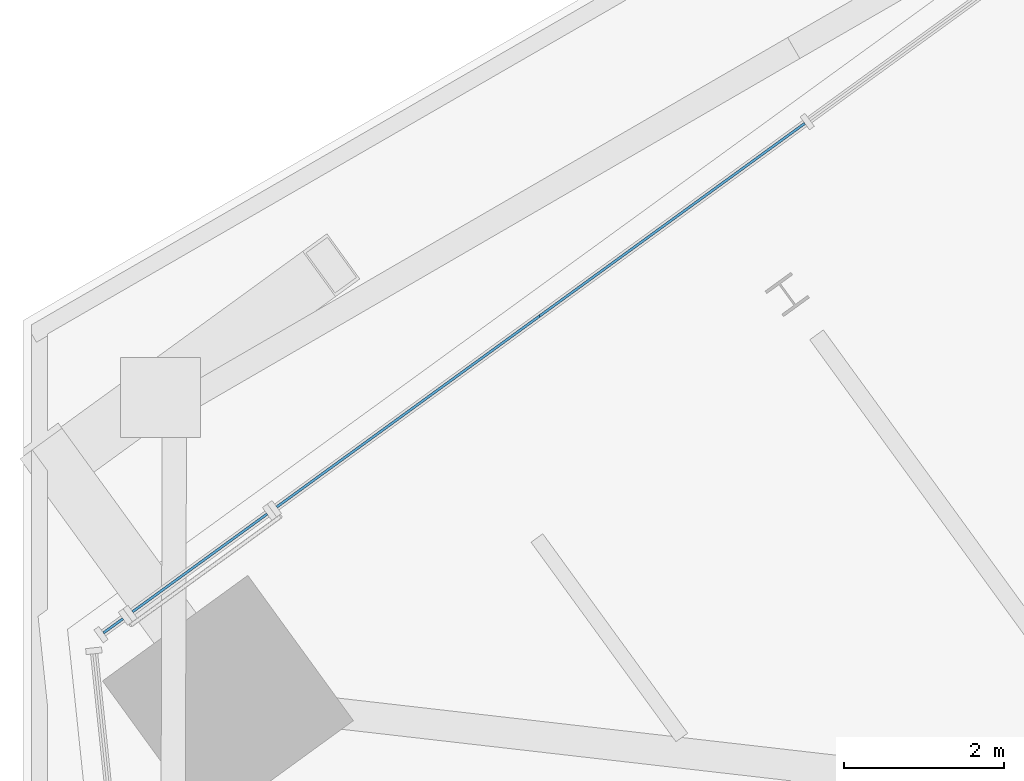
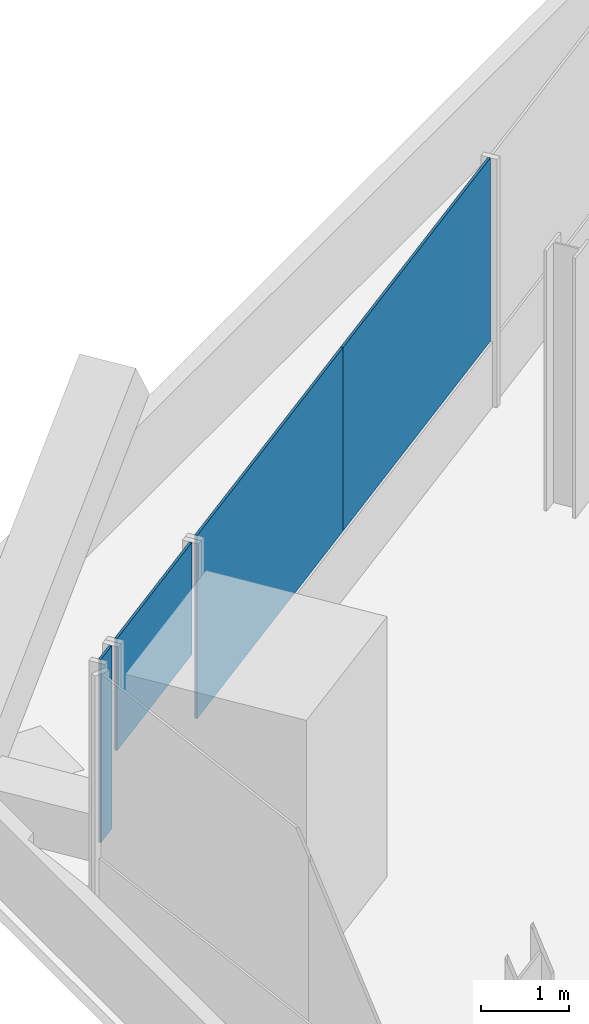
# One storey, part 12 of 24: 4 plates, 3 elements without a shape of their own.
"""IFC4 building model written with IfcOpenShell, lengths in metres."""

from ifc_helpers import new_model, si_unit, direction, frame, origin, origin_2d, place, context, subcontext, project, spatial, rectangle, extrude, source, transform, mapped, material, layer, layer_set, type_object, element, aggregate, save


model = new_model("IFC4")

# Units and contexts
model_context = context("Model", 3, precision=1e-05, world=origin(), true_north=direction((0.0, 1.0)))
body_context = subcontext(model_context, "Body", "Model", "MODEL_VIEW")
ifc_project = project(units=[si_unit("LENGTHUNIT", "METRE"), si_unit("AREAUNIT", "SQUARE_METRE"), si_unit("VOLUMEUNIT", "CUBIC_METRE"), si_unit("PLANEANGLEUNIT", "RADIAN"), si_unit("MASSUNIT", "GRAM", prefix="KILO")], contexts=[model_context])

# Site, building, storey
site_placement = place(None, origin())
site = spatial("IfcSite", under=ifc_project, at=site_placement, CompositionType="ELEMENT")
building_placement = place(site_placement, origin())
building = spatial("IfcBuilding", under=site, at=building_placement, Name="Triune Harvest Tower", CompositionType="ELEMENT")
storey_placement = place(building_placement, frame((0.0, 0.0, 58.5)))
storey = spatial("IfcBuildingStorey", under=building, at=storey_placement, Name="L13", CompositionType="ELEMENT", Elevation=58.5)

# Curtain wall, plate
ifc_material_1 = material(Name="Aluminium bronze anodised", Category="aluminium")
curtain_wall_type = type_object("IfcCurtainWallType", Name="CW-1 Tower stick curtain wall", PredefinedType="NOTDEFINED", material=ifc_material_1)
curtain_wall_1_placement = place(storey_placement, origin())
curtain_wall_1 = element("IfcCurtainWall", 1, at=curtain_wall_1_placement, inside=storey, type_object=curtain_wall_type, Name="CW-1 B2-F3 L13 run 1101")
ifc_material_2 = material(Name="Glass", Category="glass")
ifc_layer = layer(ifc_material_2, 0.031982421875)
ifc_layer_set = layer_set([ifc_layer], Name="Glass")
plate_type = type_object("IfcPlateType", Name="GL-1 panel 32", PredefinedType="CURTAIN_PANEL", material=ifc_layer_set)
shared_shape_1 = source(origin(), body_context, "Body", "SweptSolid", [
    extrude(rectangle(XDim=4.070068359375, YDim=0.031982421875, at=origin_2d()), origin(), (0.0, 0.0, 1.0), 2.5400390625),
])
plate_1_placement = place(storey_placement, frame((-31.1630859375, 5.414794921875, 0.89990234375), z_axis=(0.0, 0.0, 1.0), x_axis=(-0.809017018863, -0.587785218588, 0.0)))
plate_1 = element("IfcPlate", 2, at=plate_1_placement, type_object=plate_type, Name="CW-1 panel B2-F3 1101.8", PredefinedType="CURTAIN_PANEL", context=body_context, shape_type="MappedRepresentation", body=[
    mapped(shared_shape_1, transform((0.0, 0.0, 0.0), scale=1.0)),
])

curtain_wall_2_placement = place(storey_placement, origin())
curtain_wall_2 = element("IfcCurtainWall", 3, at=curtain_wall_2_placement, inside=storey, type_object=curtain_wall_type, Name="CW-1 B2-F3 L13 run 201")
shared_shape_2 = source(origin(), body_context, "Body", "SweptSolid", [
    extrude(rectangle(XDim=2.0830078125, YDim=0.031982421875, at=origin_2d()), origin(), (0.0, 0.0, 1.0), 1.554931640625),
])
plate_2_placement = place(storey_placement, frame((-33.7734375, 3.518310546875, 1.88525390625), z_axis=(0.0, 0.0, 1.0), x_axis=(-0.809016797775, -0.587785522888, 0.0)))
plate_2 = element("IfcPlate", 4, at=plate_2_placement, type_object=plate_type, Name="CW-1 panel B2-F3 201.1", PredefinedType="CURTAIN_PANEL", context=body_context, shape_type="MappedRepresentation", body=[
    mapped(shared_shape_2, transform((0.0, 0.0, 0.0), scale=1.0)),
])
aggregate(curtain_wall_2, [plate_2])

curtain_wall_3_placement = place(storey_placement, origin())
curtain_wall_3 = element("IfcCurtainWall", 5, at=curtain_wall_3_placement, inside=storey, type_object=curtain_wall_type, Name="CW-1 B2-F3 L13 run 301")
shared_shape_3 = source(origin(), body_context, "Body", "SweptSolid", [
    extrude(rectangle(XDim=0.3017578125, YDim=0.031982421875, at=origin_2d()), origin(), (0.0, 0.0, 1.0), 2.5400390625),
])
plate_3_placement = place(storey_placement, frame((-34.859375, 2.729248046875, 0.89990234375), z_axis=(0.0, 0.0, 1.0), x_axis=(-0.808994505309, -0.587816204591, 0.0)))
plate_3 = element("IfcPlate", 6, at=plate_3_placement, type_object=plate_type, Name="CW-1 panel B2-F3 301.1", PredefinedType="CURTAIN_PANEL", context=body_context, shape_type="MappedRepresentation", body=[
    mapped(shared_shape_3, transform((0.0, 0.0, 0.0), scale=1.0)),
])
aggregate(curtain_wall_3, [plate_3])

# Plate
shared_shape_4 = source(origin(), body_context, "Body", "SweptSolid", [
    extrude(rectangle(XDim=4.107421875, YDim=0.031982421875, at=origin_2d()), origin(), (0.0, 0.0, 1.0), 2.5400390625),
])
plate_4_placement = place(storey_placement, frame((-27.855224609375, 7.818115234375, 0.89990234375), z_axis=(0.0, 0.0, 1.0), x_axis=(-0.809017018863, -0.587785218588, 0.0)))
plate_4 = element("IfcPlate", 7, at=plate_4_placement, type_object=plate_type, Name="CW-1 panel B2-F3 1101.7", PredefinedType="CURTAIN_PANEL", context=body_context, shape_type="MappedRepresentation", body=[
    mapped(shared_shape_4, transform((0.0, 0.0, 0.0), scale=1.0)),
])

aggregate(curtain_wall_1, [plate_4, plate_1])

save(model, "model.ifc")
